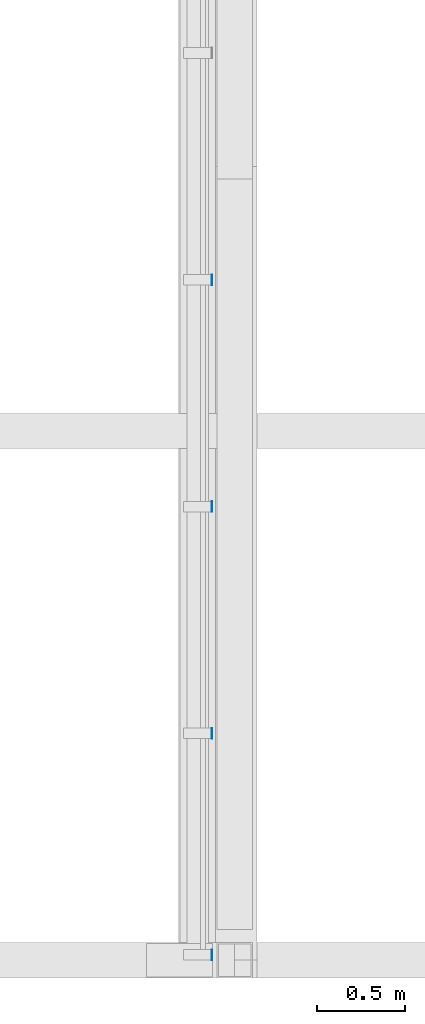
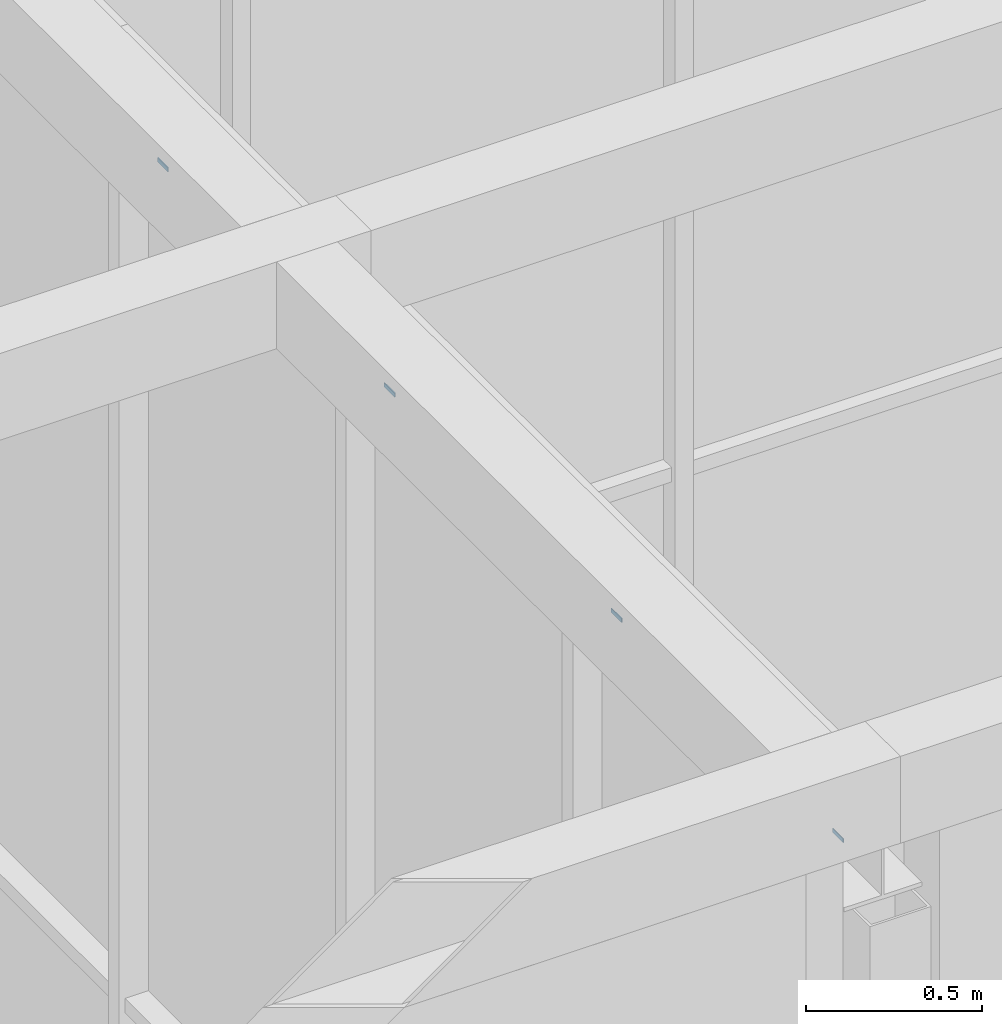
# One storey, part 236 of 646: 4 discrete accessories.
"""IFC4 building model written with IfcOpenShell, lengths in metres."""

import ifcopenshell
import ifcopenshell.guid

model = None  # the IFC model being written
_history = None  # IfcOwnerHistory: only IFC2X3 demands one
_inside = {}  # id of a spatial element -> (the spatial element, [elements in it])
_under = {}  # id of a project, library or spatial element -> (it, [spatial elements below it])
_declared = {}  # id of a project -> (the project, [libraries it declares])
_typed = {}  # id of a type object -> (the type object, [elements of that type])
_made_of = {}  # id of a material, layer set ... -> (it, [elements and type objects made of it])


def new_model(schema):
    """Start an empty IFC model of exactly this schema.

    Asked for "IFC4X3", IfcOpenShell would pick the latest addendum, in which some entities
    have other attributes; the version numbers below select the first issue.
    IFC2X3 requires an IfcOwnerHistory on every rooted entity: one is made here for all.
    """
    global model, _history
    if schema == "IFC4X3":
        model = ifcopenshell.file(schema_version=(4, 3, 0, 0))
    else:
        model = ifcopenshell.file(schema=schema)
    _inside.clear()
    _under.clear()
    _declared.clear()
    _typed.clear()
    _made_of.clear()
    _history = None
    if model.schema == "IFC2X3":
        org = make("IfcOrganization", Name="unknown")
        user = make(
            "IfcPersonAndOrganization",
            ThePerson=make("IfcPerson", FamilyName="unknown"),
            TheOrganization=org,
        )
        app = make(
            "IfcApplication",
            ApplicationDeveloper=org,
            Version="unknown",
            ApplicationFullName="unknown",
            ApplicationIdentifier="unknown",
        )
        _history = make(
            "IfcOwnerHistory",
            OwningUser=user,
            OwningApplication=app,
            ChangeAction="ADDED",
            CreationDate=0,
        )
    return model


def make(cls, **values):
    """One entity of the class cls with the attributes given. An attribute that is None is left unset."""
    return model.create_entity(
        cls, **{name: value for name, value in values.items() if value is not None}
    )


def rooted(cls, **values):
    """An entity with a GlobalId (a new one), such as an element, a storey or a relation."""
    return make(cls, GlobalId=ifcopenshell.guid.new(), OwnerHistory=_history, **values)


def si_unit(unit_type, name, prefix=None):
    """IfcSIUnit, for example si_unit("LENGTHUNIT", "METRE", prefix="MILLI")."""
    return make("IfcSIUnit", UnitType=unit_type, Prefix=prefix, Name=name)


def assignment(units):
    """IfcUnitAssignment: the units of a project."""
    return None if units is None else make("IfcUnitAssignment", Units=units)


def point(xyz):
    """IfcCartesianPoint."""
    return None if xyz is None else make("IfcCartesianPoint", Coordinates=xyz)


def direction(xyz):
    """IfcDirection."""
    return None if xyz is None else make("IfcDirection", DirectionRatios=xyz)


def frame(location, z_axis=None, x_axis=None):
    """IfcAxis2Placement3D, a coordinate frame: its origin and axes. An axis left out is left unset."""
    return make(
        "IfcAxis2Placement3D",
        Location=point(location),
        Axis=direction(z_axis),
        RefDirection=direction(x_axis),
    )


def frame_2d(location, x_axis=None):
    """IfcAxis2Placement2D, a coordinate frame in the plane: its origin and x axis."""
    return make(
        "IfcAxis2Placement2D", Location=point(location), RefDirection=direction(x_axis)
    )


def origin():
    """The frame at (0, 0, 0) with its axes left unset."""
    return frame((0.0, 0.0, 0.0))


def origin_2d():
    """The frame at (0, 0) in the plane with its x axis left unset."""
    return frame_2d((0.0, 0.0))


def place(relative_to, where):
    """IfcLocalPlacement: puts the frame where relative to a parent placement (None: the world)."""
    return make(
        "IfcLocalPlacement", PlacementRelTo=relative_to, RelativePlacement=where
    )


def context(
    kind, dimensions, precision=None, world=None, true_north=None, identifier=None
):
    """IfcGeometricRepresentationContext, for example the 3D "Model" context."""
    return make(
        "IfcGeometricRepresentationContext",
        ContextIdentifier=identifier,
        ContextType=kind,
        CoordinateSpaceDimension=dimensions,
        Precision=precision,
        WorldCoordinateSystem=world,
        TrueNorth=true_north,
    )


def subcontext(parent, identifier, kind, view, scale=None):
    """IfcGeometricRepresentationSubContext, for example "Body" below "Model"."""
    return make(
        "IfcGeometricRepresentationSubContext",
        ContextIdentifier=identifier,
        ContextType=kind,
        ParentContext=parent,
        TargetScale=scale,
        TargetView=view,
    )


def project(units=None, contexts=None):
    """IfcProject with its units and contexts."""
    return rooted(
        "IfcProject",
        Name="project",
        RepresentationContexts=contexts,
        UnitsInContext=assignment(units),
    )


def spatial(cls, under=None, at=None, **own):
    """A site, building, storey or space (cls), placed at a placement, below another one or the project."""
    s = rooted(cls, ObjectPlacement=at, **own)
    if under is not None:
        _under.setdefault(under.id(), (under, []))[1].append(s)
    return s


def profile(cls, at=None, kind="AREA", **sizes):
    """A parametric profile (cls). Its sizes go by their IFC names, for example OverallWidth=200.0."""
    return make(cls, ProfileType=kind, Position=at, **sizes)


def rectangle(**sizes):
    """IfcRectangleProfileDef."""
    return profile("IfcRectangleProfileDef", **sizes)


def extrude(swept, where, along, depth):
    """IfcExtrudedAreaSolid: the profile swept, set in the frame where, extruded along a direction by depth."""
    return make(
        "IfcExtrudedAreaSolid",
        SweptArea=swept,
        Position=where,
        ExtrudedDirection=direction(along),
        Depth=depth,
    )


def shape(context_of_items, identifier, shape_type, items):
    """IfcShapeRepresentation: the items that make up one representation, for example the "Body"."""
    return make(
        "IfcShapeRepresentation",
        ContextOfItems=context_of_items,
        RepresentationIdentifier=identifier,
        RepresentationType=shape_type,
        Items=items,
    )


def material(Name=None, Category=None):
    """IfcMaterial."""
    return make("IfcMaterial", Name=Name, Category=Category)


def made_of(thing, what):
    """Note that an element or type object is made of a material, layer set ...; save() writes the relation."""
    if what is not None:
        _made_of.setdefault(what.id(), (what, []))[1].append(thing)
    return thing


def type_object(cls, material=None, **own):
    """A type object (cls), such as IfcWallType, which elements share."""
    return made_of(rooted(cls, **own), material)


def element(
    cls,
    number,
    at=None,
    inside=None,
    cuts=None,
    type_object=None,
    material=None,
    context=None,
    identifier="Body",
    shape_type=None,
    held_by="IfcProductDefinitionShape",
    body=None,
    shapes=None,
    **own,
):
    """One element of the class cls, such as IfcWall. Its Tag is "e" and its number.

    at: its placement. inside: the storey or other place that contains it. cuts: it is an
    opening in that element (IfcRelVoidsElement). A single representation is given by context,
    identifier, shape_type and body (its items); several are given by shapes. held_by: the class
    of the entity that holds the representations. save() writes the other relations.
    """
    e = rooted(cls, Tag="e%d" % number, ObjectPlacement=at, **own)
    if body is not None:
        shapes = [shape(context, identifier, shape_type, body)]
    if shapes is not None:
        e.Representation = make(held_by, Representations=shapes)
    if inside is not None:
        _inside.setdefault(inside.id(), (inside, []))[1].append(e)
    if cuts is not None:
        rooted(
            "IfcRelVoidsElement", RelatingBuildingElement=cuts, RelatedOpeningElement=e
        )
    if type_object is not None:
        _typed.setdefault(type_object.id(), (type_object, []))[1].append(e)
    return made_of(e, material)


def aggregate(whole, parts):
    """IfcRelAggregates: a whole, such as a stair, and the parts it consists of."""
    return rooted("IfcRelAggregates", RelatingObject=whole, RelatedObjects=parts)


def save(model, path):
    """Write the relations noted so far, then the file.

    IfcRelAggregates (storeys below a building ...), IfcRelContainedInSpatialStructure (elements
    in a storey), IfcRelDefinesByType, IfcRelAssociatesMaterial and IfcRelDeclares: one each for
    every whole, place, type object, material and project.
    """
    for whole, parts in _under.values():
        aggregate(whole, parts)
    for where, things in _inside.values():
        rooted(
            "IfcRelContainedInSpatialStructure",
            RelatedElements=things,
            RelatingStructure=where,
        )
    for kind, things in _typed.values():
        rooted("IfcRelDefinesByType", RelatedObjects=things, RelatingType=kind)
    for what, things in _made_of.values():
        rooted("IfcRelAssociatesMaterial", RelatedObjects=things, RelatingMaterial=what)
    for by, libraries in _declared.values():
        rooted("IfcRelDeclares", RelatingContext=by, RelatedDefinitions=libraries)
    model.write(path)


model = new_model("IFC4")

# Units and contexts
model_context = context("Model", 3, precision=1e-05, world=origin(), true_north=direction((0.0, 1.0)))
body_context = subcontext(model_context, "Body", "Model", "MODEL_VIEW")
ifc_project = project(units=[si_unit("LENGTHUNIT", "METRE"), si_unit("AREAUNIT", "SQUARE_METRE"), si_unit("VOLUMEUNIT", "CUBIC_METRE"), si_unit("PLANEANGLEUNIT", "RADIAN"), si_unit("MASSUNIT", "GRAM", prefix="KILO")], contexts=[model_context])

# Site, building, storey
site_placement = place(None, origin())
site = spatial("IfcSite", under=ifc_project, at=site_placement, CompositionType="ELEMENT")
building_placement = place(site_placement, origin())
building = spatial("IfcBuilding", under=site, at=building_placement, Name="Silverbay Arena", CompositionType="ELEMENT")
storey_placement = place(building_placement, frame((0.0, 0.0, 33.5)))
storey = spatial("IfcBuildingStorey", under=building, at=storey_placement, Name="L05", CompositionType="ELEMENT", Elevation=33.5)

# Discrete accessories
ifc_material = material(Name="Steel S355", Category="steel")
discrete_accessory_type = type_object("IfcDiscreteAccessoryType", Name="Steel bracket plate", PredefinedType="BRACKET", material=ifc_material)
for number, where, z_axis, x_axis, name in (
    (1, (53.871337890625, 9.030029296875, 12.98583984375), (0.0, 0.0, 1.0), (1.0, 0.0, 0.0), "Curtain wall packing plate"),
    (2, (53.871337890625, 10.28564453125, 12.98583984375), (0.0, 0.0, 1.0), (1.0, 0.0, 0.0), "Curtain wall packing plate"),
    (3, (53.871337890625, 11.571533203125, 12.98583984375), (0.0, 0.0, 1.0), (1.0, 0.0, 0.0), "Curtain wall packing plate"),
    (4, (53.871337890625, 12.857177734375, 12.98583984375), (0.0, 0.0, 1.0), (1.0, 0.0, 0.0), "Curtain wall packing plate"),
):
    element("IfcDiscreteAccessory", number, at=place(storey_placement, frame(where, z_axis=z_axis, x_axis=x_axis)), inside=storey, type_object=discrete_accessory_type, Name=name, PredefinedType="BRACKET", context=body_context, shape_type="SweptSolid", body=[
        extrude(rectangle(XDim=0.002685546875, YDim=0.06005859375, at=origin_2d()), origin(), (0.0, 0.0, 1.0), 0.01416015625),
    ])

save(model, "model.ifc")
